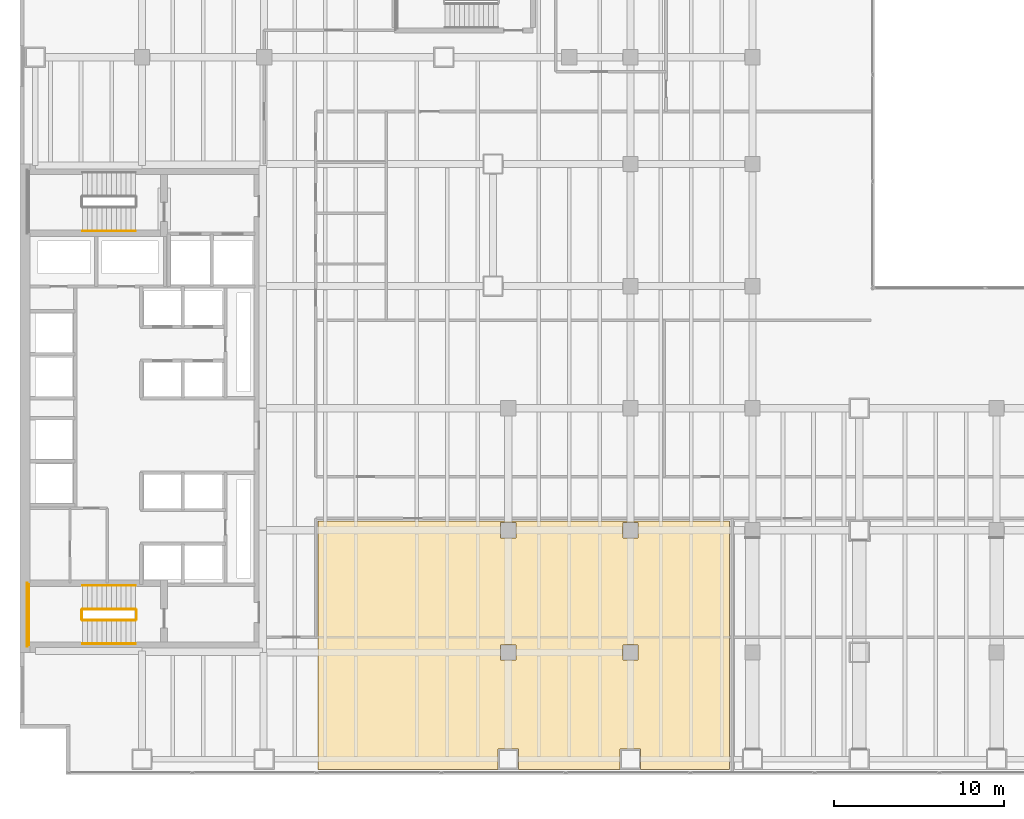
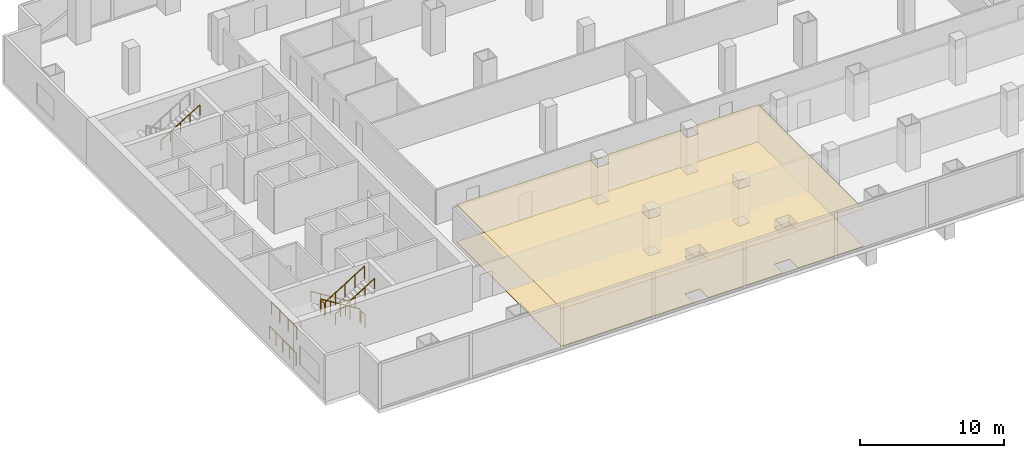
# One storey, part 32 of 34: 9 railings, 2 coverings.
"""IFC4 building model written with IfcOpenShell, lengths in metres."""

import ifcopenshell
import ifcopenshell.guid

model = None  # the IFC model being written
_history = None  # IfcOwnerHistory: only IFC2X3 demands one
_inside = {}  # id of a spatial element -> (the spatial element, [elements in it])
_under = {}  # id of a project, library or spatial element -> (it, [spatial elements below it])
_declared = {}  # id of a project -> (the project, [libraries it declares])
_typed = {}  # id of a type object -> (the type object, [elements of that type])
_made_of = {}  # id of a material, layer set ... -> (it, [elements and type objects made of it])


def new_model(schema):
    """Start an empty IFC model of exactly this schema.

    Asked for "IFC4X3", IfcOpenShell would pick the latest addendum, in which some entities
    have other attributes; the version numbers below select the first issue.
    IFC2X3 requires an IfcOwnerHistory on every rooted entity: one is made here for all.
    """
    global model, _history
    if schema == "IFC4X3":
        model = ifcopenshell.file(schema_version=(4, 3, 0, 0))
    else:
        model = ifcopenshell.file(schema=schema)
    _inside.clear()
    _under.clear()
    _declared.clear()
    _typed.clear()
    _made_of.clear()
    _history = None
    if model.schema == "IFC2X3":
        org = make("IfcOrganization", Name="unknown")
        user = make(
            "IfcPersonAndOrganization",
            ThePerson=make("IfcPerson", FamilyName="unknown"),
            TheOrganization=org,
        )
        app = make(
            "IfcApplication",
            ApplicationDeveloper=org,
            Version="unknown",
            ApplicationFullName="unknown",
            ApplicationIdentifier="unknown",
        )
        _history = make(
            "IfcOwnerHistory",
            OwningUser=user,
            OwningApplication=app,
            ChangeAction="ADDED",
            CreationDate=0,
        )
    return model


def make(cls, **values):
    """One entity of the class cls with the attributes given. An attribute that is None is left unset."""
    return model.create_entity(
        cls, **{name: value for name, value in values.items() if value is not None}
    )


def rooted(cls, **values):
    """An entity with a GlobalId (a new one), such as an element, a storey or a relation."""
    return make(cls, GlobalId=ifcopenshell.guid.new(), OwnerHistory=_history, **values)


def si_unit(unit_type, name, prefix=None):
    """IfcSIUnit, for example si_unit("LENGTHUNIT", "METRE", prefix="MILLI")."""
    return make("IfcSIUnit", UnitType=unit_type, Prefix=prefix, Name=name)


def assignment(units):
    """IfcUnitAssignment: the units of a project."""
    return None if units is None else make("IfcUnitAssignment", Units=units)


def point(xyz):
    """IfcCartesianPoint."""
    return None if xyz is None else make("IfcCartesianPoint", Coordinates=xyz)


def direction(xyz):
    """IfcDirection."""
    return None if xyz is None else make("IfcDirection", DirectionRatios=xyz)


def frame(location, z_axis=None, x_axis=None):
    """IfcAxis2Placement3D, a coordinate frame: its origin and axes. An axis left out is left unset."""
    return make(
        "IfcAxis2Placement3D",
        Location=point(location),
        Axis=direction(z_axis),
        RefDirection=direction(x_axis),
    )


def frame_2d(location, x_axis=None):
    """IfcAxis2Placement2D, a coordinate frame in the plane: its origin and x axis."""
    return make(
        "IfcAxis2Placement2D", Location=point(location), RefDirection=direction(x_axis)
    )


def origin():
    """The frame at (0, 0, 0) with its axes left unset."""
    return frame((0.0, 0.0, 0.0))


def origin_2d():
    """The frame at (0, 0) in the plane with its x axis left unset."""
    return frame_2d((0.0, 0.0))


def place(relative_to, where):
    """IfcLocalPlacement: puts the frame where relative to a parent placement (None: the world)."""
    return make(
        "IfcLocalPlacement", PlacementRelTo=relative_to, RelativePlacement=where
    )


def context(
    kind, dimensions, precision=None, world=None, true_north=None, identifier=None
):
    """IfcGeometricRepresentationContext, for example the 3D "Model" context."""
    return make(
        "IfcGeometricRepresentationContext",
        ContextIdentifier=identifier,
        ContextType=kind,
        CoordinateSpaceDimension=dimensions,
        Precision=precision,
        WorldCoordinateSystem=world,
        TrueNorth=true_north,
    )


def subcontext(parent, identifier, kind, view, scale=None):
    """IfcGeometricRepresentationSubContext, for example "Body" below "Model"."""
    return make(
        "IfcGeometricRepresentationSubContext",
        ContextIdentifier=identifier,
        ContextType=kind,
        ParentContext=parent,
        TargetScale=scale,
        TargetView=view,
    )


def project(units=None, contexts=None):
    """IfcProject with its units and contexts."""
    return rooted(
        "IfcProject",
        Name="project",
        RepresentationContexts=contexts,
        UnitsInContext=assignment(units),
    )


def spatial(cls, under=None, at=None, **own):
    """A site, building, storey or space (cls), placed at a placement, below another one or the project."""
    s = rooted(cls, ObjectPlacement=at, **own)
    if under is not None:
        _under.setdefault(under.id(), (under, []))[1].append(s)
    return s


def polyline(points):
    """IfcPolyline through the points."""
    return make("IfcPolyline", Points=[point(p) for p in points])


def profile(cls, at=None, kind="AREA", **sizes):
    """A parametric profile (cls). Its sizes go by their IFC names, for example OverallWidth=200.0."""
    return make(cls, ProfileType=kind, Position=at, **sizes)


def circle(**sizes):
    """IfcCircleProfileDef."""
    return profile("IfcCircleProfileDef", **sizes)


def outline(outer, holes=None, kind="AREA"):
    """IfcArbitraryClosedProfileDef: a profile drawn as a closed curve; with holes, ...WithVoids."""
    if holes is None:
        return make("IfcArbitraryClosedProfileDef", ProfileType=kind, OuterCurve=outer)
    return make(
        "IfcArbitraryProfileDefWithVoids",
        ProfileType=kind,
        OuterCurve=outer,
        InnerCurves=holes,
    )


def extrude(swept, where, along, depth):
    """IfcExtrudedAreaSolid: the profile swept, set in the frame where, extruded along a direction by depth."""
    return make(
        "IfcExtrudedAreaSolid",
        SweptArea=swept,
        Position=where,
        ExtrudedDirection=direction(along),
        Depth=depth,
    )


def shape(context_of_items, identifier, shape_type, items):
    """IfcShapeRepresentation: the items that make up one representation, for example the "Body"."""
    return make(
        "IfcShapeRepresentation",
        ContextOfItems=context_of_items,
        RepresentationIdentifier=identifier,
        RepresentationType=shape_type,
        Items=items,
    )


def material(Name=None, Category=None):
    """IfcMaterial."""
    return make("IfcMaterial", Name=Name, Category=Category)


def layer(
    of_material, thickness, ventilated=None, Name=None, Category=None, Priority=None
):
    """IfcMaterialLayer: one layer of a wall or slab, of a material (None: an air gap)."""
    return make(
        "IfcMaterialLayer",
        Material=of_material,
        LayerThickness=thickness,
        IsVentilated=ventilated,
        Name=Name,
        Category=Category,
        Priority=Priority,
    )


def layer_set(layers, Name=None):
    """IfcMaterialLayerSet."""
    return make("IfcMaterialLayerSet", MaterialLayers=layers, LayerSetName=Name)


def made_of(thing, what):
    """Note that an element or type object is made of a material, layer set ...; save() writes the relation."""
    if what is not None:
        _made_of.setdefault(what.id(), (what, []))[1].append(thing)
    return thing


def type_object(cls, material=None, **own):
    """A type object (cls), such as IfcWallType, which elements share."""
    return made_of(rooted(cls, **own), material)


def element(
    cls,
    number,
    at=None,
    inside=None,
    cuts=None,
    type_object=None,
    material=None,
    context=None,
    identifier="Body",
    shape_type=None,
    held_by="IfcProductDefinitionShape",
    body=None,
    shapes=None,
    **own,
):
    """One element of the class cls, such as IfcWall. Its Tag is "e" and its number.

    at: its placement. inside: the storey or other place that contains it. cuts: it is an
    opening in that element (IfcRelVoidsElement). A single representation is given by context,
    identifier, shape_type and body (its items); several are given by shapes. held_by: the class
    of the entity that holds the representations. save() writes the other relations.
    """
    e = rooted(cls, Tag="e%d" % number, ObjectPlacement=at, **own)
    if body is not None:
        shapes = [shape(context, identifier, shape_type, body)]
    if shapes is not None:
        e.Representation = make(held_by, Representations=shapes)
    if inside is not None:
        _inside.setdefault(inside.id(), (inside, []))[1].append(e)
    if cuts is not None:
        rooted(
            "IfcRelVoidsElement", RelatingBuildingElement=cuts, RelatedOpeningElement=e
        )
    if type_object is not None:
        _typed.setdefault(type_object.id(), (type_object, []))[1].append(e)
    return made_of(e, material)


def aggregate(whole, parts):
    """IfcRelAggregates: a whole, such as a stair, and the parts it consists of."""
    return rooted("IfcRelAggregates", RelatingObject=whole, RelatedObjects=parts)


def save(model, path):
    """Write the relations noted so far, then the file.

    IfcRelAggregates (storeys below a building ...), IfcRelContainedInSpatialStructure (elements
    in a storey), IfcRelDefinesByType, IfcRelAssociatesMaterial and IfcRelDeclares: one each for
    every whole, place, type object, material and project.
    """
    for whole, parts in _under.values():
        aggregate(whole, parts)
    for where, things in _inside.values():
        rooted(
            "IfcRelContainedInSpatialStructure",
            RelatedElements=things,
            RelatingStructure=where,
        )
    for kind, things in _typed.values():
        rooted("IfcRelDefinesByType", RelatedObjects=things, RelatingType=kind)
    for what, things in _made_of.values():
        rooted("IfcRelAssociatesMaterial", RelatedObjects=things, RelatingMaterial=what)
    for by, libraries in _declared.values():
        rooted("IfcRelDeclares", RelatingContext=by, RelatedDefinitions=libraries)
    model.write(path)


model = new_model("IFC4")

# Units and contexts
model_context = context("Model", 3, precision=1e-05, world=origin(), true_north=direction((0.0, 1.0)))
body_context = subcontext(model_context, "Body", "Model", "MODEL_VIEW")
ifc_project = project(units=[si_unit("LENGTHUNIT", "METRE"), si_unit("AREAUNIT", "SQUARE_METRE"), si_unit("VOLUMEUNIT", "CUBIC_METRE"), si_unit("PLANEANGLEUNIT", "RADIAN"), si_unit("MASSUNIT", "GRAM", prefix="KILO")], contexts=[model_context])

# Site, building, storey
site_placement = place(None, origin())
site = spatial("IfcSite", under=ifc_project, at=site_placement, CompositionType="ELEMENT")
building_placement = place(site_placement, origin())
building = spatial("IfcBuilding", under=site, at=building_placement, Name="Cobrela Telecom Tower", CompositionType="ELEMENT")
storey_placement = place(building_placement, frame((0.0, 0.0, 5.25)))
storey = spatial("IfcBuildingStorey", under=building, at=storey_placement, Name="L01", CompositionType="ELEMENT", Elevation=5.25)

# Coverings
ifc_material_1 = material(Name="Mineral Fibre Acoustic Ceiling Tile")
ifc_layer_1 = layer(ifc_material_1, 0.02490234375)
ifc_layer_set_1 = layer_set([ifc_layer_1], Name="Mineral Fibre Acoustic Ceiling Tile")
covering_type_1 = type_object("IfcCoveringType", Name="COV-CEIL-ACT", PredefinedType="CEILING", material=ifc_layer_set_1)
covering_1_placement = place(storey_placement, frame((0.0, 0.0, 3.179931640625)))
element("IfcCovering", 1, at=covering_1_placement, inside=storey, type_object=covering_type_1, Name="L01 NOC Briefing and Conference Room Suspended Acoustic Ceiling", PredefinedType="CEILING", context=body_context, shape_type="SweptSolid", body=[
    extrude(outline(polyline([(41.860107421875, 0.2900390625), (17.590087890625, 0.2900390625), (17.590087890625, 14.9599609375), (41.860107421875, 14.9599609375), (41.860107421875, 0.2900390625)]), holes=[polyline([(35.39990234375, 0.300048828125), (36.60009765625, 0.300048828125), (36.60009765625, 1.5), (35.39990234375, 1.5), (35.39990234375, 0.300048828125)]), polyline([(29.39990234375, 0.300048828125), (29.39990234375, 1.5), (28.199951171875, 1.5), (28.199951171875, 0.300048828125), (29.39990234375, 0.300048828125)]), polyline([(35.550048828125, 6.75), (36.449951171875, 6.75), (36.449951171875, 7.64990234375), (35.550048828125, 7.64990234375), (35.550048828125, 6.75)]), polyline([(28.35009765625, 6.75), (29.25, 6.75), (29.25, 7.64990234375), (28.35009765625, 7.64990234375), (28.35009765625, 6.75)]), polyline([(29.25, 13.949951171875), (29.25, 14.85009765625), (28.35009765625, 14.85009765625), (28.35009765625, 13.949951171875), (29.25, 13.949951171875)]), polyline([(35.550048828125, 13.949951171875), (36.449951171875, 13.949951171875), (36.449951171875, 14.85009765625), (35.550048828125, 14.85009765625), (35.550048828125, 13.949951171875)])]), origin(), (0.0, 0.0, 1.0), 0.025146484375),
])
ifc_material_2 = material(Name="Honed Colombian Basalt Stone", Category="masonry")
ifc_layer_2 = layer(ifc_material_2, 0.0400390625)
ifc_layer_set_2 = layer_set([ifc_layer_2], Name="Honed Colombian Basalt Stone")
covering_type_2 = type_object("IfcCoveringType", Name="COV-FLR-STONE", PredefinedType="FLOORING", material=ifc_layer_set_2)
covering_2_placement = place(storey_placement, origin())
element("IfcCovering", 2, at=covering_2_placement, inside=storey, type_object=covering_type_2, Name="L01 NOC Briefing and Conference Room Raised Technical Flooring", PredefinedType="FLOORING", context=body_context, shape_type="SweptSolid", body=[
    extrude(outline(polyline([(41.860107421875, 0.2900390625), (17.590087890625, 0.2900390625), (17.590087890625, 14.9599609375), (41.860107421875, 14.9599609375), (41.860107421875, 0.2900390625)]), holes=[polyline([(35.39990234375, 0.300048828125), (36.60009765625, 0.300048828125), (36.60009765625, 1.5), (35.39990234375, 1.5), (35.39990234375, 0.300048828125)]), polyline([(29.39990234375, 0.300048828125), (29.39990234375, 1.5), (28.199951171875, 1.5), (28.199951171875, 0.300048828125), (29.39990234375, 0.300048828125)]), polyline([(35.550048828125, 6.75), (36.449951171875, 6.75), (36.449951171875, 7.64990234375), (35.550048828125, 7.64990234375), (35.550048828125, 6.75)]), polyline([(28.35009765625, 6.75), (29.25, 6.75), (29.25, 7.64990234375), (28.35009765625, 7.64990234375), (28.35009765625, 6.75)]), polyline([(29.25, 13.949951171875), (29.25, 14.85009765625), (28.35009765625, 14.85009765625), (28.35009765625, 13.949951171875), (29.25, 13.949951171875)]), polyline([(35.550048828125, 13.949951171875), (36.449951171875, 13.949951171875), (36.449951171875, 14.85009765625), (35.550048828125, 14.85009765625), (35.550048828125, 13.949951171875)])]), origin(), (0.0, 0.0, 1.0), 0.0400390625),
])

# Railings
ifc_material_3 = material(Name="Steel ASTM A36", Category="steel")
railing_type_1 = type_object("IfcRailingType", Name="RAIL-GUARD-1100", PredefinedType="GUARDRAIL", material=ifc_material_3)
railing_1_placement = place(storey_placement, frame((6.820068359375, 9.75, 0.175048828125)))
element("IfcRailing", 3, at=railing_1_placement, inside=storey, type_object=railing_type_1, Name="L01 ST2 stair guard 1", PredefinedType="GUARDRAIL", context=body_context, shape_type="SweptSolid", body=[
    extrude(circle(Radius=0.02392578125, at=origin_2d()), frame((0.0, 0.0, 1.076171875), z_axis=(-0.852166034122, 0.0, 0.523271488128), x_axis=(0.0, -1.0, 0.0)), (0.0, 0.0, 1.0), 3.678955078125),
    extrude(circle(Radius=0.02099609375, at=origin_2d()), origin(), (0.0, 0.0, 1.0), 1.052001953125),
    extrude(circle(Radius=0.02099609375, at=origin_2d()), frame((-0.78369140625, 0.0, 0.481201171875)), (0.0, 0.0, 1.0), 1.052001953125),
    extrude(circle(Radius=0.02099609375, at=origin_2d()), frame((-1.5673828125, 0.0, 0.96240234375)), (0.0, 0.0, 1.0), 1.052001953125),
    extrude(circle(Radius=0.02099609375, at=origin_2d()), frame((-2.351318359375, 0.0, 1.44384765625)), (0.0, 0.0, 1.0), 1.052001953125),
    extrude(circle(Radius=0.02099609375, at=origin_2d()), frame((-3.135009765625, 0.0, 1.925048828125)), (0.0, 0.0, 1.0), 1.052001953125),
])
railing_2_placement = place(storey_placement, frame((3.635009765625, 9.699951171875, 2.10009765625)))
element("IfcRailing", 4, at=railing_2_placement, inside=storey, type_object=railing_type_1, Name="L01 ST2 stair guard 2", PredefinedType="GUARDRAIL", context=body_context, shape_type="SweptSolid", body=[
    extrude(circle(Radius=0.02392578125, at=origin_2d()), frame((0.0, 0.0, 1.076171875), z_axis=(0.0, -1.0, 0.0), x_axis=(1.0, 0.0, 0.0)), (0.0, 0.0, 1.0), 0.550048828125),
    extrude(circle(Radius=0.02099609375, at=origin_2d()), origin(), (0.0, 0.0, 1.0), 1.052001953125),
    extrude(circle(Radius=0.02099609375, at=origin_2d()), frame((0.0, -0.550048828125, 0.0)), (0.0, 0.0, 1.0), 1.052001953125),
])
railing_3_placement = place(storey_placement, frame((0.530029296875, 11.199951171875, 2.10009765625)))
element("IfcRailing", 5, at=railing_3_placement, inside=storey, type_object=railing_type_1, Name="L01 ST2 stair guard 3", PredefinedType="GUARDRAIL", context=body_context, shape_type="SweptSolid", body=[
    extrude(circle(Radius=0.02392578125, at=origin_2d()), frame((0.0, 0.0, 1.076171875), z_axis=(0.0, -1.0, 0.0), x_axis=(1.0, 0.0, 0.0)), (0.0, 0.0, 1.0), 3.550048828125),
    extrude(circle(Radius=0.02099609375, at=origin_2d()), origin(), (0.0, 0.0, 1.0), 1.052001953125),
    extrude(circle(Radius=0.02099609375, at=origin_2d()), frame((0.0, -1.183349609375, 0.0)), (0.0, 0.0, 1.0), 1.052001953125),
    extrude(circle(Radius=0.02099609375, at=origin_2d()), frame((0.0, -2.36669921875, 0.0)), (0.0, 0.0, 1.0), 1.052001953125),
    extrude(circle(Radius=0.02099609375, at=origin_2d()), frame((0.0, -3.550048828125, 0.0)), (0.0, 0.0, 1.0), 1.052001953125),
])
railing_4_placement = place(storey_placement, frame((3.68505859375, 9.10009765625, 2.27490234375)))
element("IfcRailing", 6, at=railing_4_placement, inside=storey, type_object=railing_type_1, Name="L01 ST2 stair guard 4", PredefinedType="GUARDRAIL", context=body_context, shape_type="SweptSolid", body=[
    extrude(circle(Radius=0.02392578125, at=origin_2d()), frame((0.0, 0.0, 1.076171875), z_axis=(0.852166034122, 0.0, 0.523271488128), x_axis=(0.0, 1.0, 0.0)), (0.0, 0.0, 1.0), 3.678955078125),
    extrude(circle(Radius=0.02099609375, at=origin_2d()), origin(), (0.0, 0.0, 1.0), 1.052001953125),
    extrude(circle(Radius=0.02099609375, at=origin_2d()), frame((0.78369140625, 0.0, 0.481201171875)), (0.0, 0.0, 1.0), 1.052001953125),
    extrude(circle(Radius=0.02099609375, at=origin_2d()), frame((1.5673828125, 0.0, 0.96240234375)), (0.0, 0.0, 1.0), 1.052001953125),
    extrude(circle(Radius=0.02099609375, at=origin_2d()), frame((2.351318359375, 0.0, 1.44384765625)), (0.0, 0.0, 1.0), 1.052001953125),
    extrude(circle(Radius=0.02099609375, at=origin_2d()), frame((3.135009765625, 0.0, 1.925048828125)), (0.0, 0.0, 1.0), 1.052001953125),
])
railing_5_placement = place(storey_placement, frame((6.8701171875, 9.699951171875, 0.0)))
element("IfcRailing", 7, at=railing_5_placement, inside=storey, type_object=railing_type_1, Name="L01 ST2 stair guard 5", PredefinedType="GUARDRAIL", context=body_context, shape_type="SweptSolid", body=[
    extrude(circle(Radius=0.02392578125, at=origin_2d()), frame((0.0, 0.0, 1.076171875), z_axis=(0.0, -1.0, 0.0), x_axis=(1.0, 0.0, 0.0)), (0.0, 0.0, 1.0), 0.550048828125),
    extrude(circle(Radius=0.02099609375, at=origin_2d()), origin(), (0.0, 0.0, 1.0), 1.052001953125),
    extrude(circle(Radius=0.02099609375, at=origin_2d()), frame((0.0, -0.550048828125, 0.0)), (0.0, 0.0, 1.0), 1.052001953125),
])
railing_6_placement = place(storey_placement, frame((0.429931640625, 11.300048828125, 0.0)))
element("IfcRailing", 8, at=railing_6_placement, inside=storey, type_object=railing_type_1, Name="L01 ST2 stair guard 6", PredefinedType="GUARDRAIL", context=body_context, shape_type="SweptSolid", body=[
    extrude(circle(Radius=0.02392578125, at=origin_2d()), frame((0.0, 0.0, 1.076171875), z_axis=(0.0, -1.0, 0.0), x_axis=(1.0, 0.0, 0.0)), (0.0, 0.0, 1.0), 3.75),
    extrude(circle(Radius=0.02099609375, at=origin_2d()), origin(), (0.0, 0.0, 1.0), 1.052001953125),
    extrude(circle(Radius=0.02099609375, at=origin_2d()), frame((0.0, -0.9375, 0.0)), (0.0, 0.0, 1.0), 1.052001953125),
    extrude(circle(Radius=0.02099609375, at=origin_2d()), frame((0.0, -1.875, 0.0)), (0.0, 0.0, 1.0), 1.052001953125),
    extrude(circle(Radius=0.02099609375, at=origin_2d()), frame((0.0, -2.8125, 0.0)), (0.0, 0.0, 1.0), 1.052001953125),
    extrude(circle(Radius=0.02099609375, at=origin_2d()), frame((0.0, -3.75, 0.0)), (0.0, 0.0, 1.0), 1.052001953125),
])
railing_type_2 = type_object("IfcRailingType", Name="RAIL-HAND-920", PredefinedType="HANDRAIL", material=ifc_material_3)
railing_7_placement = place(storey_placement, frame((3.68505859375, 32.050048828125, 2.27490234375)))
element("IfcRailing", 9, at=railing_7_placement, inside=storey, type_object=railing_type_2, Name="L01 ST1 stair handrail 2", PredefinedType="HANDRAIL", context=body_context, shape_type="SweptSolid", body=[
    extrude(circle(Radius=0.02392578125, at=origin_2d()), frame((0.0, 0.0, 0.8759765625), z_axis=(0.852166034122, 0.0, 0.523271488128), x_axis=(0.0, 1.0, 0.0)), (0.0, 0.0, 1.0), 3.678955078125),
    extrude(circle(Radius=0.02099609375, at=origin_2d()), origin(), (0.0, 0.0, 1.0), 0.851806640625),
    extrude(circle(Radius=0.02099609375, at=origin_2d()), frame((0.78369140625, 0.0, 0.481201171875)), (0.0, 0.0, 1.0), 0.851806640625),
    extrude(circle(Radius=0.02099609375, at=origin_2d()), frame((1.5673828125, 0.0, 0.96240234375)), (0.0, 0.0, 1.0), 0.851806640625),
    extrude(circle(Radius=0.02099609375, at=origin_2d()), frame((2.351318359375, 0.0, 1.44384765625)), (0.0, 0.0, 1.0), 0.851806640625),
    extrude(circle(Radius=0.02099609375, at=origin_2d()), frame((3.135009765625, 0.0, 1.925048828125)), (0.0, 0.0, 1.0), 0.851806640625),
])
railing_8_placement = place(storey_placement, frame((6.820068359375, 11.14990234375, 0.175048828125)))
element("IfcRailing", 10, at=railing_8_placement, inside=storey, type_object=railing_type_2, Name="L01 ST2 stair handrail 1", PredefinedType="HANDRAIL", context=body_context, shape_type="SweptSolid", body=[
    extrude(circle(Radius=0.02392578125, at=origin_2d()), frame((0.0, 0.0, 0.8759765625), z_axis=(-0.852166034122, 0.0, 0.523271488128), x_axis=(0.0, -1.0, 0.0)), (0.0, 0.0, 1.0), 3.678955078125),
    extrude(circle(Radius=0.02099609375, at=origin_2d()), origin(), (0.0, 0.0, 1.0), 0.851806640625),
    extrude(circle(Radius=0.02099609375, at=origin_2d()), frame((-0.78369140625, 0.0, 0.481201171875)), (0.0, 0.0, 1.0), 0.851806640625),
    extrude(circle(Radius=0.02099609375, at=origin_2d()), frame((-1.5673828125, 0.0, 0.96240234375)), (0.0, 0.0, 1.0), 0.851806640625),
    extrude(circle(Radius=0.02099609375, at=origin_2d()), frame((-2.351318359375, 0.0, 1.44384765625)), (0.0, 0.0, 1.0), 0.851806640625),
    extrude(circle(Radius=0.02099609375, at=origin_2d()), frame((-3.135009765625, 0.0, 1.925048828125)), (0.0, 0.0, 1.0), 0.851806640625),
])
railing_9_placement = place(storey_placement, frame((3.68505859375, 7.699951171875, 2.27490234375)))
element("IfcRailing", 11, at=railing_9_placement, inside=storey, type_object=railing_type_2, Name="L01 ST2 stair handrail 2", PredefinedType="HANDRAIL", context=body_context, shape_type="SweptSolid", body=[
    extrude(circle(Radius=0.02392578125, at=origin_2d()), frame((0.0, 0.0, 0.8759765625), z_axis=(0.852166034122, 0.0, 0.523271488128), x_axis=(0.0, 1.0, 0.0)), (0.0, 0.0, 1.0), 3.678955078125),
    extrude(circle(Radius=0.02099609375, at=origin_2d()), origin(), (0.0, 0.0, 1.0), 0.851806640625),
    extrude(circle(Radius=0.02099609375, at=origin_2d()), frame((0.78369140625, 0.0, 0.481201171875)), (0.0, 0.0, 1.0), 0.851806640625),
    extrude(circle(Radius=0.02099609375, at=origin_2d()), frame((1.5673828125, 0.0, 0.96240234375)), (0.0, 0.0, 1.0), 0.851806640625),
    extrude(circle(Radius=0.02099609375, at=origin_2d()), frame((2.351318359375, 0.0, 1.44384765625)), (0.0, 0.0, 1.0), 0.851806640625),
    extrude(circle(Radius=0.02099609375, at=origin_2d()), frame((3.135009765625, 0.0, 1.925048828125)), (0.0, 0.0, 1.0), 0.851806640625),
])

save(model, "model.ifc")
